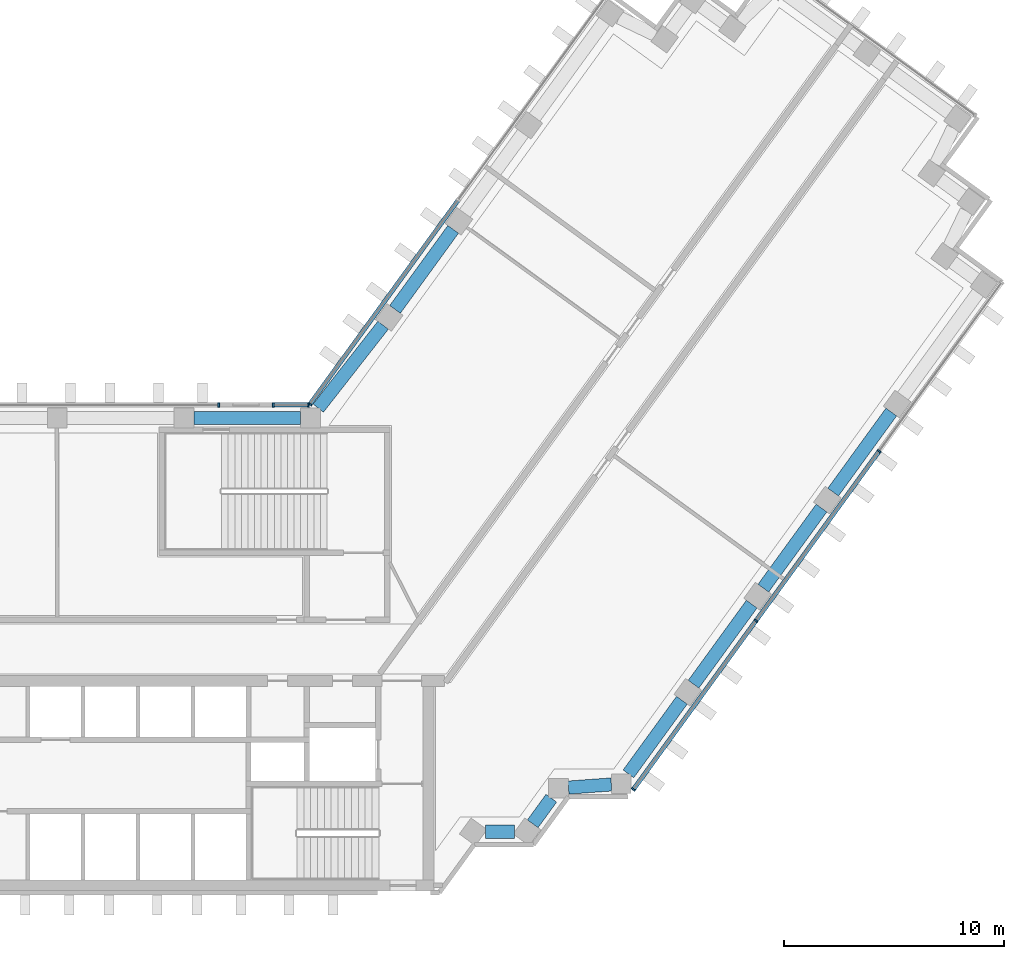
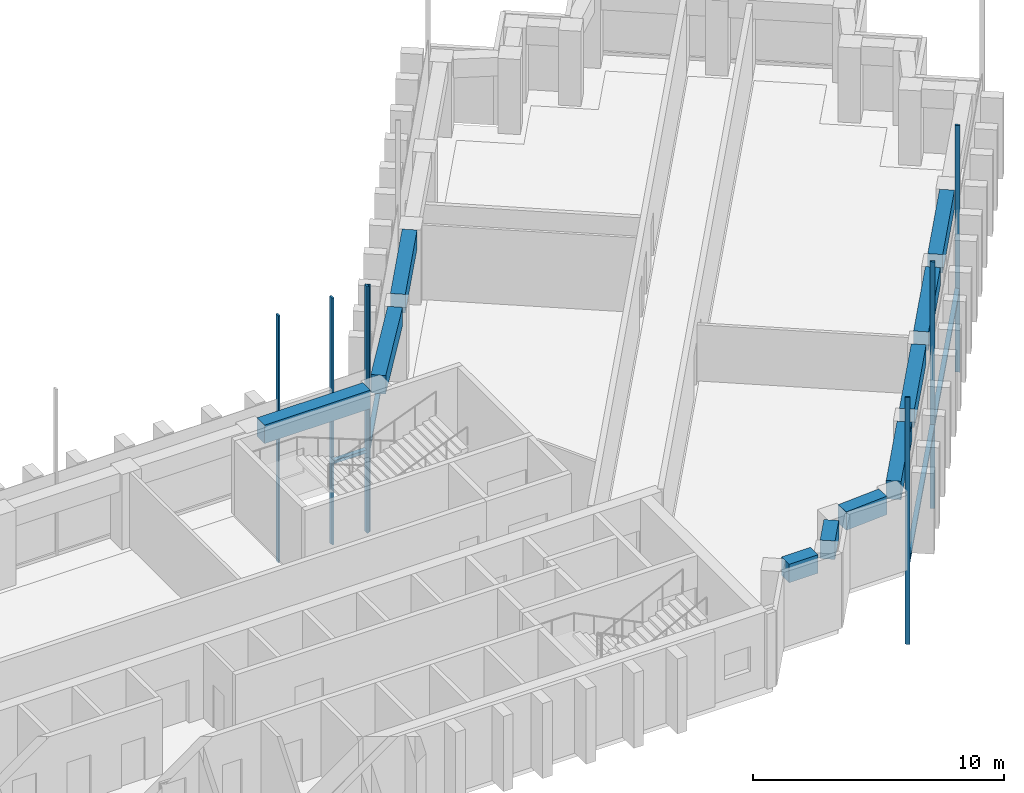
# One storey, part 5 of 16: 11 members, 10 beams, 4 elements without a shape of their own.
"""IFC4 building model written with IfcOpenShell, lengths in metres."""

from ifc_helpers import new_model, si_unit, direction, frame, origin, origin_2d, place, context, subcontext, project, spatial, rectangle, extrude, material, material_profile, profile_set, type_object, element, aggregate, save


model = new_model("IFC4")

# Units and contexts
model_context = context("Model", 3, precision=1e-05, world=origin(), true_north=direction((0.0, 1.0)))
body_context = subcontext(model_context, "Body", "Model", "MODEL_VIEW")
ifc_project = project(units=[si_unit("LENGTHUNIT", "METRE"), si_unit("AREAUNIT", "SQUARE_METRE"), si_unit("VOLUMEUNIT", "CUBIC_METRE"), si_unit("PLANEANGLEUNIT", "RADIAN"), si_unit("MASSUNIT", "GRAM", prefix="KILO")], contexts=[model_context])

# Site, building, storey
site_placement = place(None, origin())
site = spatial("IfcSite", under=ifc_project, at=site_placement, CompositionType="ELEMENT")
building_placement = place(site_placement, origin())
building = spatial("IfcBuilding", under=site, at=building_placement, Name="Quipu Civic Tower", CompositionType="ELEMENT")
storey_placement = place(building_placement, frame((0.0, 0.0, 113.0)))
storey = spatial("IfcBuildingStorey", under=building, at=storey_placement, Name="L26", CompositionType="ELEMENT", Elevation=113.0)

# Curtain wall, members
ifc_material_1 = material(Name="Insulated glass unit", Category="glass")
curtain_wall_type = type_object("IfcCurtainWallType", Name="Office curtain wall CW1", PredefinedType="NOTDEFINED", material=ifc_material_1)
curtain_wall_1_placement = place(storey_placement, origin())
curtain_wall_1 = element("IfcCurtainWall", 1, at=curtain_wall_1_placement, inside=storey, type_object=curtain_wall_type, Name="Office curtain wall CW1 L25 run 23", PredefinedType="NOTDEFINED")
ifc_material_2 = material(Name="Anodised aluminium", Category="aluminium")
ifc_material_profile_1 = material_profile(ifc_material_2, rectangle(XDim=0.199951171875, YDim=0.080078125, at=origin_2d()), Name="RECT 200x80")
ifc_profile_set_1 = profile_set([ifc_material_profile_1], Name="Anodised aluminium")
member_type_1 = type_object("IfcMemberType", Name="Mullion CW1", PredefinedType="MULLION", material=ifc_profile_set_1)
member_1_placement = place(storey_placement, frame((29.079345703125, -6.3876953125, -3.919921875), z_axis=(0.0, 0.0, 1.0), x_axis=(-0.809016904652, 0.587785375786, 0.0)))
member_1 = element("IfcMember", 2, at=member_1_placement, type_object=member_type_1, Name="CW1 mullion 1", PredefinedType="MULLION", context=body_context, shape_type="SweptSolid", body=[
    extrude(rectangle(XDim=0.199951171875, YDim=0.080078125, at=origin_2d()), origin(), (0.0, 0.0, 1.0), 12.0),
])
member_2_placement = place(storey_placement, frame((34.65380859375, 1.28466796875, -3.919921875), z_axis=(0.0, 0.0, 1.0), x_axis=(-0.809016904652, 0.587785375786, 0.0)))
member_2 = element("IfcMember", 3, at=member_2_placement, type_object=member_type_1, Name="CW1 mullion 2", PredefinedType="MULLION", context=body_context, shape_type="SweptSolid", body=[
    extrude(rectangle(XDim=0.199951171875, YDim=0.080078125, at=origin_2d()), origin(), (0.0, 0.0, 1.0), 12.0),
])
member_3_placement = place(storey_placement, frame((40.251708984375, 8.989501953125, -3.919921875), z_axis=(0.0, 0.0, 1.0), x_axis=(-0.809016904652, 0.587785375786, 0.0)))
member_3 = element("IfcMember", 4, at=member_3_placement, type_object=member_type_1, Name="CW1 mullion 3", PredefinedType="MULLION", context=body_context, shape_type="SweptSolid", body=[
    extrude(rectangle(XDim=0.199951171875, YDim=0.080078125, at=origin_2d()), origin(), (0.0, 0.0, 1.0), 12.0),
])

# Curtain wall, member
curtain_wall_2_placement = place(storey_placement, origin())
curtain_wall_2 = element("IfcCurtainWall", 5, at=curtain_wall_2_placement, inside=storey, type_object=curtain_wall_type, Name="Office curtain wall CW1 L25 run 30", PredefinedType="NOTDEFINED")
member_4_placement = place(storey_placement, frame((14.36767578125, 11.13232421875, -3.919921875), z_axis=(0.0, 0.0, 1.0), x_axis=(0.809014469803, -0.587788727052, 0.0)))
member_4 = element("IfcMember", 6, at=member_4_placement, type_object=member_type_1, Name="CW1 mullion 3", PredefinedType="MULLION", context=body_context, shape_type="SweptSolid", body=[
    extrude(rectangle(XDim=0.199951171875, YDim=0.080078125, at=origin_2d()), origin(), (0.0, 0.0, 1.0), 12.0),
])

# Curtain wall, members
curtain_wall_3_placement = place(storey_placement, origin())
curtain_wall_3 = element("IfcCurtainWall", 7, at=curtain_wall_3_placement, inside=storey, type_object=curtain_wall_type, Name="Office curtain wall CW1 L25 run 31", PredefinedType="NOTDEFINED")
member_5_placement = place(storey_placement, frame((14.30419921875, 11.10009765625, -3.919921875), z_axis=(0.0, 0.0, 1.0), x_axis=(0.0, -1.0, 0.0)))
member_5 = element("IfcMember", 8, at=member_5_placement, type_object=member_type_1, Name="CW1 mullion 1", PredefinedType="MULLION", context=body_context, shape_type="SweptSolid", body=[
    extrude(rectangle(XDim=0.199951171875, YDim=0.080078125, at=origin_2d()), origin(), (0.0, 0.0, 1.0), 12.0),
])
member_6_placement = place(storey_placement, frame((12.695068359375, 11.10009765625, -3.919921875), z_axis=(0.0, 0.0, 1.0), x_axis=(0.0, -1.0, 0.0)))
member_6 = element("IfcMember", 9, at=member_6_placement, type_object=member_type_1, Name="CW1 mullion 2", PredefinedType="MULLION", context=body_context, shape_type="SweptSolid", body=[
    extrude(rectangle(XDim=0.199951171875, YDim=0.080078125, at=origin_2d()), origin(), (0.0, 0.0, 1.0), 12.0),
])

# Curtain wall, member
curtain_wall_4_placement = place(storey_placement, origin())
curtain_wall_4 = element("IfcCurtainWall", 10, at=curtain_wall_4_placement, inside=storey, type_object=curtain_wall_type, Name="Office curtain wall CW1 L25 run 33", PredefinedType="NOTDEFINED")
member_7_placement = place(storey_placement, frame((10.223388671875, 11.10009765625, -3.919921875), z_axis=(0.0, 0.0, 1.0), x_axis=(0.0, -1.0, 0.0)))
member_7 = element("IfcMember", 11, at=member_7_placement, type_object=member_type_1, Name="CW1 mullion 1", PredefinedType="MULLION", context=body_context, shape_type="SweptSolid", body=[
    extrude(rectangle(XDim=0.199951171875, YDim=0.080078125, at=origin_2d()), origin(), (0.0, 0.0, 1.0), 12.0),
])
aggregate(curtain_wall_4, [member_7])

# Beams
ifc_material_3 = material(Name="Concrete C50/60", Category="concrete")
ifc_material_profile_2 = material_profile(ifc_material_3, rectangle(XDim=0.60009765625, YDim=0.89990234375, at=origin_2d()), Name="RC600x900")
ifc_profile_set_2 = profile_set([ifc_material_profile_2], Name="Concrete C50/60")
beam_type = type_object("IfcBeamType", Name="Spandrel beam RC 600x900 C50/60", PredefinedType="SPANDREL", material=ifc_profile_set_2)
beam_1_placement = place(storey_placement, frame((22.34814453125, -8.31494140625, 3.199951171875), z_axis=(1.0, 0.0, 0.0), x_axis=(0.0, 1.0, 0.0)))
element("IfcBeam", 12, at=beam_1_placement, inside=storey, type_object=beam_type, Name="Spandrel beam L26 J-Eo.1 to J-Eo.2", PredefinedType="SPANDREL", context=body_context, shape_type="SweptSolid", body=[
    extrude(rectangle(XDim=0.60009765625, YDim=0.89990234375, at=origin_2d()), origin(), (0.0, 0.0, 1.0), 1.33056640625),
])
beam_2_placement = place(storey_placement, frame((24.499755859375, -7.951171875, 3.199951171875), z_axis=(0.588433824377, 0.808545381738, 0.0), x_axis=(-0.808545381738, 0.588433824377, 0.0)))
element("IfcBeam", 13, at=beam_2_placement, inside=storey, type_object=beam_type, Name="Spandrel beam L26 J-Eo.2 to J-Eo.3", PredefinedType="SPANDREL", context=body_context, shape_type="SweptSolid", body=[
    extrude(rectangle(XDim=0.60009765625, YDim=0.89990234375, at=origin_2d()), origin(), (0.0, 0.0, 1.0), 1.439697265625),
])
beam_3_placement = place(storey_placement, frame((26.12451171875, -6.304443359375, 3.199951171875), z_axis=(0.997365981169, 0.072533437859, 0.0), x_axis=(-0.072533437859, 0.997365981169, 0.0)))
element("IfcBeam", 14, at=beam_3_placement, inside=storey, type_object=beam_type, Name="Spandrel beam L26 J-Eo.3 to J-Eo.4", PredefinedType="SPANDREL", context=body_context, shape_type="SweptSolid", body=[
    extrude(rectangle(XDim=0.60009765625, YDim=0.89990234375, at=origin_2d()), origin(), (0.0, 0.0, 1.0), 1.95556640625),
])
beam_4_placement = place(storey_placement, frame((28.85205078125, -5.679931640625, 3.199951171875), z_axis=(0.587750565781, 0.809042194464, 0.0), x_axis=(-0.809042194464, 0.587750565781, 0.0)))
element("IfcBeam", 15, at=beam_4_placement, inside=storey, type_object=beam_type, Name="Spandrel beam L26 J-Eo.4 to E-OUT-01", PredefinedType="SPANDREL", context=body_context, shape_type="SweptSolid", body=[
    extrude(rectangle(XDim=0.60009765625, YDim=0.89990234375, at=origin_2d()), origin(), (0.0, 0.0, 1.0), 4.13720703125),
])
beam_5_placement = place(storey_placement, frame((31.812744140625, -1.604736328125, 3.199951171875), z_axis=(0.587778073121, 0.809022210299, 0.0), x_axis=(-0.809022210299, 0.587778073121, 0.0)))
element("IfcBeam", 16, at=beam_5_placement, inside=storey, type_object=beam_type, Name="Spandrel beam L26 E-OUT-01 to E-OUT-02", PredefinedType="SPANDREL", context=body_context, shape_type="SweptSolid", body=[
    extrude(rectangle(XDim=0.60009765625, YDim=0.89990234375, at=origin_2d()), origin(), (0.0, 0.0, 1.0), 4.5),
])
beam_6_placement = place(storey_placement, frame((34.98681640625, 2.76416015625, 3.199951171875), z_axis=(0.587803872688, 0.809003465539, 0.0), x_axis=(-0.809003465539, 0.587803872688, 0.0)))
element("IfcBeam", 17, at=beam_6_placement, inside=storey, type_object=beam_type, Name="Spandrel beam L26 E-OUT-02 to E-OUT-03", PredefinedType="SPANDREL", context=body_context, shape_type="SweptSolid", body=[
    extrude(rectangle(XDim=0.60009765625, YDim=0.89990234375, at=origin_2d()), origin(), (0.0, 0.0, 1.0), 4.499755859375),
])
for number, where, z_axis, x_axis, name in (
    (18, (38.160888671875, 7.1328125, 3.199951171875), (0.587778073121, 0.809022210299, 0.0), (-0.809022210299, 0.587778073121, 0.0), "Spandrel beam L26 E-OUT-03 to E-OUT-04"),
    (19, (20.8828125, 19.079833984375, 3.199951171875), (-0.587716763865, -0.809066749701, 0.0), (0.809066749701, -0.587716763865, 0.0), "Spandrel beam L26 E-IN-02 to E-IN-01"),
):
    element("IfcBeam", number, at=place(storey_placement, frame(where, z_axis=z_axis, x_axis=x_axis)), inside=storey, type_object=beam_type, Name=name, PredefinedType="SPANDREL", context=body_context, shape_type="SweptSolid", body=[
        extrude(rectangle(XDim=0.60009765625, YDim=0.89990234375, at=origin_2d()), origin(), (0.0, 0.0, 1.0), 4.5),
    ])
beam_7_placement = place(storey_placement, frame((17.6962890625, 14.72021484375, 3.199951171875), z_axis=(-0.616123961998, -0.787649200756, 0.0), x_axis=(0.787649200756, -0.616123961998, 0.0)))
element("IfcBeam", 20, at=beam_7_placement, inside=storey, type_object=beam_type, Name="Spandrel beam L26 E-IN-01 to J-Ei.0", PredefinedType="SPANDREL", context=body_context, shape_type="SweptSolid", body=[
    extrude(rectangle(XDim=0.60009765625, YDim=0.89990234375, at=origin_2d()), origin(), (0.0, 0.0, 1.0), 4.78662109375),
])
beam_8_placement = place(storey_placement, frame((13.9453125, 10.5, 3.199951171875), z_axis=(-1.0, 0.0, 0.0), x_axis=(0.0, -1.0, 0.0)))
element("IfcBeam", 21, at=beam_8_placement, inside=storey, type_object=beam_type, Name="Spandrel beam L26 J-Ei.0 to FRONT-01", PredefinedType="SPANDREL", context=body_context, shape_type="SweptSolid", body=[
    extrude(rectangle(XDim=0.60009765625, YDim=0.89990234375, at=origin_2d()), origin(), (0.0, 0.0, 1.0), 4.858154296875),
])

# Member
ifc_material_4 = material(Name="Anodised aluminium", Category="aluminium")
ifc_material_profile_3 = material_profile(ifc_material_4, rectangle(XDim=0.199951171875, YDim=0.159912109375, at=origin_2d()), Name="RECT 200x160")
ifc_profile_set_3 = profile_set([ifc_material_profile_3], Name="Anodised aluminium")
member_type_2 = type_object("IfcMemberType", Name="Transom CW1", PredefinedType="USERDEFINED", material=ifc_profile_set_3)
member_8_placement = place(storey_placement, frame((29.10302734375, -6.35546875, 0.080078125), z_axis=(0.58777644589, 0.809023392528, 0.0), x_axis=(-0.809023392528, 0.58777644589, 0.0)))
member_8 = element("IfcMember", 22, at=member_8_placement, type_object=member_type_2, Name="CW1 transom 1.2", ObjectType="TRANSOM", PredefinedType="USERDEFINED", context=body_context, shape_type="SweptSolid", body=[
    extrude(rectangle(XDim=0.199951171875, YDim=0.159912109375, at=origin_2d()), origin(), (0.0, 0.0, 1.0), 9.40380859375),
])

member_9_placement = place(storey_placement, frame((34.67724609375, 1.317138671875, 0.080078125), z_axis=(0.587790407593, 0.809013248805, 0.0), x_axis=(-0.809013248805, 0.587790407593, 0.0)))
member_9 = element("IfcMember", 23, at=member_9_placement, type_object=member_type_2, Name="CW1 transom 2.2", ObjectType="TRANSOM", PredefinedType="USERDEFINED", context=body_context, shape_type="SweptSolid", body=[
    extrude(rectangle(XDim=0.199951171875, YDim=0.159912109375, at=origin_2d()), origin(), (0.0, 0.0, 1.0), 9.443359375),
])

aggregate(curtain_wall_1, [member_1, member_2, member_3, member_8, member_9])

member_10_placement = place(storey_placement, frame((21.09326171875, 20.38916015625, 0.080078125), z_axis=(-0.587799878401, -0.809006367683, 0.0), x_axis=(0.809006367683, -0.587799878401, 0.0)))
member_10 = element("IfcMember", 24, at=member_10_placement, type_object=member_type_2, Name="CW1 transom 2.2", ObjectType="TRANSOM", PredefinedType="USERDEFINED", context=body_context, shape_type="SweptSolid", body=[
    extrude(rectangle(XDim=0.199951171875, YDim=0.159912109375, at=origin_2d()), origin(), (0.0, 0.0, 1.0), 11.402099609375),
])

aggregate(curtain_wall_2, [member_4, member_10])

member_11_placement = place(storey_placement, frame((14.26416015625, 11.10009765625, 0.080078125), z_axis=(-1.0, 0.0, 0.0), x_axis=(0.0, -1.0, 0.0)))
member_11 = element("IfcMember", 25, at=member_11_placement, type_object=member_type_2, Name="CW1 transom 1.2", ObjectType="TRANSOM", PredefinedType="USERDEFINED", context=body_context, shape_type="SweptSolid", body=[
    extrude(rectangle(XDim=0.199951171875, YDim=0.159912109375, at=origin_2d()), origin(), (0.0, 0.0, 1.0), 1.529052734375),
])

aggregate(curtain_wall_3, [member_5, member_6, member_11])

save(model, "model.ifc")
